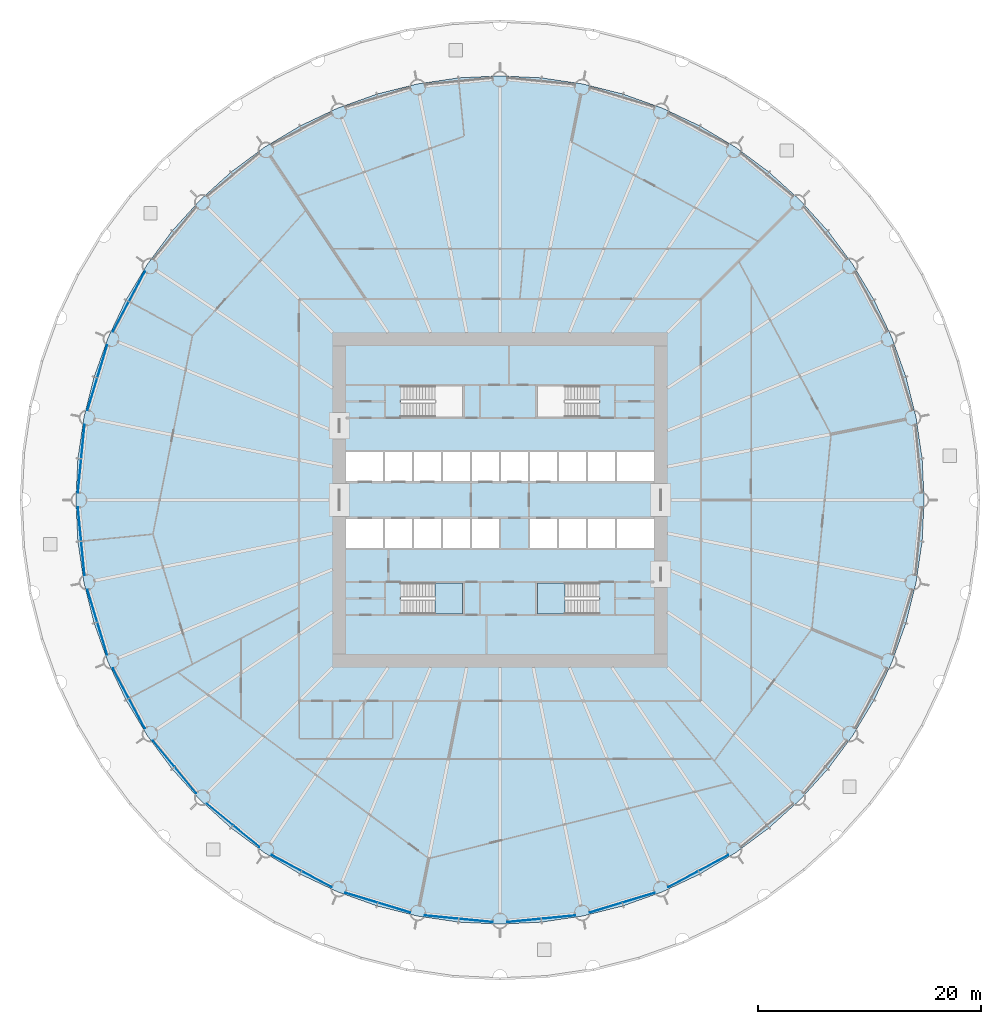
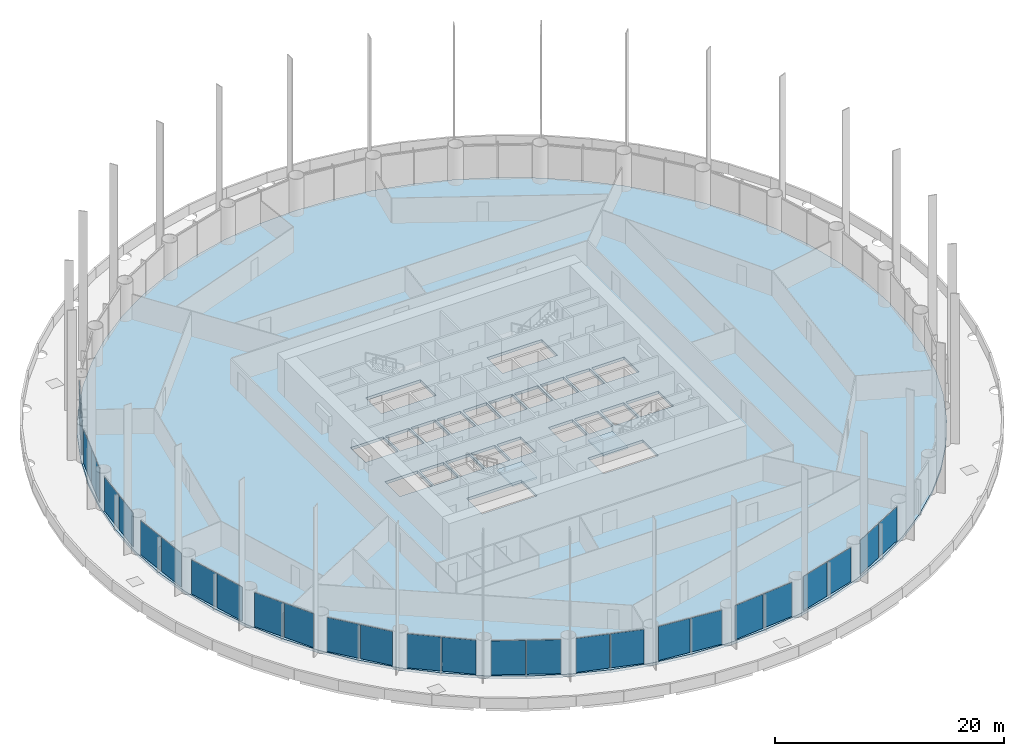
# One storey, part 6 of 17: 28 plates, 3 slabs, 16 elements without a shape of their own.
"""IFC4 building model written with IfcOpenShell, lengths in metres."""

from ifc_helpers import new_model, si_unit, direction, frame, origin, origin_2d, place, context, subcontext, project, spatial, polyline, rectangle, outline, extrude, material, layer, layer_set, type_object, element, aggregate, save


model = new_model("IFC4")

# Units and contexts
model_context = context("Model", 3, precision=1e-05, world=origin(), true_north=direction((0.0, 1.0)))
body_context = subcontext(model_context, "Body", "Model", "MODEL_VIEW")
ifc_project = project(units=[si_unit("LENGTHUNIT", "METRE"), si_unit("AREAUNIT", "SQUARE_METRE"), si_unit("VOLUMEUNIT", "CUBIC_METRE"), si_unit("PLANEANGLEUNIT", "RADIAN"), si_unit("MASSUNIT", "GRAM", prefix="KILO")], contexts=[model_context])

# Site, building, storey
site_placement = place(None, origin())
site = spatial("IfcSite", under=ifc_project, at=site_placement, CompositionType="ELEMENT")
building_placement = place(site_placement, origin())
building = spatial("IfcBuilding", under=site, at=building_placement, Name="Corvane Civic Tower", CompositionType="ELEMENT")
storey_placement = place(building_placement, frame((0.0, 0.0, 37.0)))
storey = spatial("IfcBuildingStorey", under=building, at=storey_placement, Name="L07", CompositionType="ELEMENT", Elevation=37.0)

# Slab
ifc_material_1 = material(Name="Concrete C40/50", Category="concrete")
ifc_layer_1 = layer(ifc_material_1, 0.300048828125)
ifc_layer_set_1 = layer_set([ifc_layer_1], Name="Concrete C40/50")
slab_type_1 = type_object("IfcSlabType", Name="FLOOR SLAB 300", PredefinedType="FLOOR", material=ifc_layer_set_1)
slab_1_placement = place(storey_placement, frame((0.0, 0.0, -0.300048828125)))
element("IfcSlab", 1, at=slab_1_placement, inside=storey, type_object=slab_type_1, Name="SLB-L07", PredefinedType="FLOOR", context=body_context, shape_type="SweptSolid", body=[
    extrude(outline(polyline([(0.0, 38.0), (-3.724609375, 37.817138671875), (-7.413330078125, 37.269775390625), (-11.03076171875, 36.36376953125), (-14.5419921875, 35.107421875), (-17.9130859375, 33.512939453125), (-21.111572265625, 31.595947265625), (-24.10693359375, 29.37451171875), (-26.8701171875, 26.8701171875), (-29.37451171875, 24.10693359375), (-31.595947265625, 21.111572265625), (-33.512939453125, 17.9130859375), (-35.107421875, 14.5419921875), (-36.36376953125, 11.03076171875), (-37.269775390625, 7.413330078125), (-37.817138671875, 3.724609375), (-38.0, 0.0), (-37.817138671875, -3.724609375), (-37.269775390625, -7.413330078125), (-36.36376953125, -11.03076171875), (-35.107421875, -14.5419921875), (-33.512939453125, -17.9130859375), (-31.595947265625, -21.111572265625), (-29.37451171875, -24.10693359375), (-26.8701171875, -26.8701171875), (-24.10693359375, -29.37451171875), (-21.111572265625, -31.595947265625), (-17.9130859375, -33.512939453125), (-14.5419921875, -35.107421875), (-11.03076171875, -36.36376953125), (-7.413330078125, -37.269775390625), (-3.724609375, -37.817138671875), (0.0, -38.0), (3.724609375, -37.817138671875), (7.413330078125, -37.269775390625), (11.03076171875, -36.36376953125), (14.5419921875, -35.107421875), (17.9130859375, -33.512939453125), (21.111572265625, -31.595947265625), (24.10693359375, -29.37451171875), (26.8701171875, -26.8701171875), (29.37451171875, -24.10693359375), (31.595947265625, -21.111572265625), (33.512939453125, -17.9130859375), (35.107421875, -14.5419921875), (36.36376953125, -11.03076171875), (37.269775390625, -7.413330078125), (37.817138671875, -3.724609375), (38.0, 0.0), (37.817138671875, 3.724609375), (37.269775390625, 7.413330078125), (36.36376953125, 11.03076171875), (35.107421875, 14.5419921875), (33.512939453125, 17.9130859375), (31.595947265625, 21.111572265625), (29.37451171875, 24.10693359375), (26.8701171875, 26.8701171875), (24.10693359375, 29.37451171875), (21.111572265625, 31.595947265625), (17.9130859375, 33.512939453125), (14.5419921875, 35.107421875), (11.03076171875, 36.36376953125), (7.413330078125, 37.269775390625), (3.724609375, 37.817138671875), (0.0, 38.0)]), holes=[polyline([(-13.800048828125, 4.300048828125), (-10.5, 4.300048828125), (-10.5, 1.699951171875), (-13.800048828125, 1.699951171875), (-13.800048828125, 4.300048828125)]), polyline([(-7.89990234375, 1.699951171875), (-10.300048828125, 1.699951171875), (-10.300048828125, 4.300048828125), (-7.89990234375, 4.300048828125), (-7.89990234375, 1.699951171875)]), polyline([(-7.699951171875, 4.300048828125), (-5.300048828125, 4.300048828125), (-5.300048828125, 1.699951171875), (-7.699951171875, 1.699951171875), (-7.699951171875, 4.300048828125)]), polyline([(-5.10009765625, 4.300048828125), (-2.699951171875, 4.300048828125), (-2.699951171875, 1.699951171875), (-5.10009765625, 1.699951171875), (-5.10009765625, 4.300048828125)]), polyline([(-2.5, 4.300048828125), (-0.10009765625, 4.300048828125), (-0.10009765625, 1.699951171875), (-2.5, 1.699951171875), (-2.5, 4.300048828125)]), polyline([(2.5, 4.300048828125), (2.5, 1.699951171875), (0.10009765625, 1.699951171875), (0.10009765625, 4.300048828125), (2.5, 4.300048828125)]), polyline([(2.699951171875, 4.300048828125), (5.10009765625, 4.300048828125), (5.10009765625, 1.699951171875), (2.699951171875, 1.699951171875), (2.699951171875, 4.300048828125)]), polyline([(5.300048828125, 4.300048828125), (7.699951171875, 4.300048828125), (7.699951171875, 1.699951171875), (5.300048828125, 1.699951171875), (5.300048828125, 4.300048828125)]), polyline([(7.89990234375, 4.300048828125), (10.300048828125, 4.300048828125), (10.300048828125, 1.699951171875), (7.89990234375, 1.699951171875), (7.89990234375, 4.300048828125)]), polyline([(13.800048828125, 1.699951171875), (10.5, 1.699951171875), (10.5, 4.300048828125), (13.800048828125, 4.300048828125), (13.800048828125, 1.699951171875)]), polyline([(-13.800048828125, -1.699951171875), (-10.5, -1.699951171875), (-10.5, -4.300048828125), (-13.800048828125, -4.300048828125), (-13.800048828125, -1.699951171875)]), polyline([(-10.300048828125, -1.699951171875), (-7.89990234375, -1.699951171875), (-7.89990234375, -4.300048828125), (-10.300048828125, -4.300048828125), (-10.300048828125, -1.699951171875)]), polyline([(-7.699951171875, -1.699951171875), (-5.300048828125, -1.699951171875), (-5.300048828125, -4.300048828125), (-7.699951171875, -4.300048828125), (-7.699951171875, -1.699951171875)]), polyline([(-5.10009765625, -1.699951171875), (-2.699951171875, -1.699951171875), (-2.699951171875, -4.300048828125), (-5.10009765625, -4.300048828125), (-5.10009765625, -1.699951171875)]), polyline([(-2.5, -1.699951171875), (-0.10009765625, -1.699951171875), (-0.10009765625, -4.300048828125), (-2.5, -4.300048828125), (-2.5, -1.699951171875)]), polyline([(2.699951171875, -1.699951171875), (5.10009765625, -1.699951171875), (5.10009765625, -4.300048828125), (2.699951171875, -4.300048828125), (2.699951171875, -1.699951171875)]), polyline([(5.300048828125, -1.699951171875), (7.699951171875, -1.699951171875), (7.699951171875, -4.300048828125), (5.300048828125, -4.300048828125), (5.300048828125, -1.699951171875)]), polyline([(7.89990234375, -4.300048828125), (7.89990234375, -1.699951171875), (10.300048828125, -1.699951171875), (10.300048828125, -4.300048828125), (7.89990234375, -4.300048828125)]), polyline([(13.800048828125, -4.300048828125), (10.5, -4.300048828125), (10.5, -1.699951171875), (13.800048828125, -1.699951171875), (13.800048828125, -4.300048828125)]), polyline([(8.889892578125, 10.199951171875), (8.889892578125, 7.449951171875), (3.35009765625, 7.449951171875), (3.35009765625, 10.199951171875), (8.889892578125, 10.199951171875)]), polyline([(-8.889892578125, 7.449951171875), (-8.889892578125, 10.199951171875), (-3.35009765625, 10.199951171875), (-3.35009765625, 7.449951171875), (-8.889892578125, 7.449951171875)]), polyline([(8.889892578125, -7.449951171875), (8.889892578125, -10.199951171875), (3.35009765625, -10.199951171875), (3.35009765625, -7.449951171875), (8.889892578125, -7.449951171875)]), polyline([(-8.889892578125, -10.199951171875), (-8.889892578125, -7.449951171875), (-3.35009765625, -7.449951171875), (-3.35009765625, -10.199951171875), (-8.889892578125, -10.199951171875)])]), origin(), (0.0, 0.0, 1.0), 0.300048828125),
])

# Stair, slab
ifc_material_2 = material(Name="Concrete C40/50", Category="concrete")
stair_type = type_object("IfcStairType", Name="ST-STAIR-HALFTURN", PredefinedType="HALF_TURN_STAIR", material=ifc_material_2)
stair_1_placement = place(storey_placement, origin())
stair_1 = element("IfcStair", 2, at=stair_1_placement, inside=storey, type_object=stair_type, Name="L07 Exit stair ST2", PredefinedType="HALF_TURN_STAIR")
ifc_material_3 = material(Name="Concrete C40/50", Category="concrete")
ifc_layer_2 = layer(ifc_material_3, 0.199951171875)
ifc_layer_set_2 = layer_set([ifc_layer_2], Name="Concrete C40/50")
slab_type_2 = type_object("IfcSlabType", Name="ST-LANDING-RC", PredefinedType="LANDING", material=ifc_layer_set_2)
slab_2_placement = place(storey_placement, frame((0.0, 0.0, 1.800048828125)))
slab_2 = element("IfcSlab", 3, at=slab_2_placement, type_object=slab_type_2, Name="ST2 landing 1", PredefinedType="LANDING", context=body_context, shape_type="SweptSolid", body=[
    extrude(outline(polyline([(5.820068359375, -7.449951171875), (3.35009765625, -7.449951171875), (3.35009765625, -10.199951171875), (5.820068359375, -10.199951171875), (5.820068359375, -7.449951171875)])), origin(), (0.0, 0.0, 1.0), 0.199951171875),
])
aggregate(stair_1, [slab_2])

stair_2_placement = place(storey_placement, origin())
stair_2 = element("IfcStair", 4, at=stair_2_placement, inside=storey, type_object=stair_type, Name="L07 Exit stair ST3", PredefinedType="HALF_TURN_STAIR")
slab_3_placement = place(storey_placement, frame((0.0, 0.0, 1.800048828125)))
slab_3 = element("IfcSlab", 5, at=slab_3_placement, type_object=slab_type_2, Name="ST3 landing 1", PredefinedType="LANDING", context=body_context, shape_type="SweptSolid", body=[
    extrude(outline(polyline([(-5.820068359375, -10.199951171875), (-3.35009765625, -10.199951171875), (-3.35009765625, -7.449951171875), (-5.820068359375, -7.449951171875), (-5.820068359375, -10.199951171875)])), origin(), (0.0, 0.0, 1.0), 0.199951171875),
])
aggregate(stair_2, [slab_3])

# Curtain wall, plates
ifc_material_4 = material(Name="Anodised aluminium bronze", Category="aluminium")
curtain_wall_type = type_object("IfcCurtainWallType", Name="TOWER CW-T1 STICK CURTAIN WALL", PredefinedType="NOTDEFINED", material=ifc_material_4)
curtain_wall_1_placement = place(storey_placement, origin())
curtain_wall_1 = element("IfcCurtainWall", 6, at=curtain_wall_1_placement, inside=storey, type_object=curtain_wall_type, Name="Curtain wall CW-T1 L07 bay 14", PredefinedType="NOTDEFINED")
ifc_material_5 = material(Name="Tinted glass", Category="glass")
ifc_layer_3 = layer(ifc_material_5, 0.035888671875)
ifc_layer_set_3 = layer_set([ifc_layer_3], Name="Tinted glass")
plate_type = type_object("IfcPlateType", Name="TOWER CW-T1 PANEL IGU36", PredefinedType="CURTAIN_PANEL", material=ifc_layer_set_3)
plate_1_placement = place(storey_placement, frame((19.132568359375, -32.518310546875, 0.0), z_axis=(0.0, 0.0, 1.0), x_axis=(-0.881917528864, -0.471403725359, 0.0)))
plate_1 = element("IfcPlate", 7, at=plate_1_placement, type_object=plate_type, Name="Glass panel CW-T1 L07 14.1", PredefinedType="CURTAIN_PANEL", context=body_context, shape_type="SweptSolid", body=[
    extrude(rectangle(XDim=3.008544921875, YDim=0.035888671875, at=origin_2d()), origin(), (0.0, 0.0, 1.0), 3.6298828125),
])
plate_2_placement = place(storey_placement, frame((16.40869140625, -33.974365234375, 0.0), z_axis=(0.0, 0.0, 1.0), x_axis=(-0.881917528864, -0.471403725359, 0.0)))
plate_2 = element("IfcPlate", 8, at=plate_2_placement, type_object=plate_type, Name="Glass panel CW-T1 L07 14.2", PredefinedType="CURTAIN_PANEL", context=body_context, shape_type="SweptSolid", body=[
    extrude(rectangle(XDim=3.008544921875, YDim=0.035888671875, at=origin_2d()), origin(), (0.0, 0.0, 1.0), 3.6298828125),
])
aggregate(curtain_wall_1, [plate_1, plate_2])

curtain_wall_2_placement = place(storey_placement, origin())
curtain_wall_2 = element("IfcCurtainWall", 9, at=curtain_wall_2_placement, inside=storey, type_object=curtain_wall_type, Name="Curtain wall CW-T1 L07 bay 15", PredefinedType="NOTDEFINED")
plate_3_placement = place(storey_placement, frame((12.4208984375, -35.6259765625, 0.0), z_axis=(0.0, 0.0, 1.0), x_axis=(-0.956942240606, -0.290278397654, 0.0)))
plate_3 = element("IfcPlate", 10, at=plate_3_placement, type_object=plate_type, Name="Glass panel CW-T1 L07 15.1", PredefinedType="CURTAIN_PANEL", context=body_context, shape_type="SweptSolid", body=[
    extrude(rectangle(XDim=3.008544921875, YDim=0.035888671875, at=origin_2d()), origin(), (0.0, 0.0, 1.0), 3.6298828125),
])
plate_4_placement = place(storey_placement, frame((9.46533203125, -36.522705078125, 0.0), z_axis=(0.0, 0.0, 1.0), x_axis=(-0.956942240606, -0.290278397654, 0.0)))
plate_4 = element("IfcPlate", 11, at=plate_4_placement, type_object=plate_type, Name="Glass panel CW-T1 L07 15.2", PredefinedType="CURTAIN_PANEL", context=body_context, shape_type="SweptSolid", body=[
    extrude(rectangle(XDim=3.008544921875, YDim=0.035888671875, at=origin_2d()), origin(), (0.0, 0.0, 1.0), 3.6298828125),
])
aggregate(curtain_wall_2, [plate_3, plate_4])

curtain_wall_3_placement = place(storey_placement, origin())
curtain_wall_3 = element("IfcCurtainWall", 12, at=curtain_wall_3_placement, inside=storey, type_object=curtain_wall_type, Name="Curtain wall CW-T1 L07 bay 16", PredefinedType="NOTDEFINED")
plate_5_placement = place(storey_placement, frame((5.23193359375, -37.36474609375, 0.0), z_axis=(0.0, 0.0, 1.0), x_axis=(-0.995185800248, -0.098006239521, 0.0)))
plate_5 = element("IfcPlate", 13, at=plate_5_placement, type_object=plate_type, Name="Glass panel CW-T1 L07 16.1", PredefinedType="CURTAIN_PANEL", context=body_context, shape_type="SweptSolid", body=[
    extrude(rectangle(XDim=3.008544921875, YDim=0.035888671875, at=origin_2d()), origin(), (0.0, 0.0, 1.0), 3.6298828125),
])
plate_6_placement = place(storey_placement, frame((2.158203125, -37.667236328125, 0.0), z_axis=(0.0, 0.0, 1.0), x_axis=(-0.995185800248, -0.098006239521, 0.0)))
plate_6 = element("IfcPlate", 14, at=plate_6_placement, type_object=plate_type, Name="Glass panel CW-T1 L07 16.2", PredefinedType="CURTAIN_PANEL", context=body_context, shape_type="SweptSolid", body=[
    extrude(rectangle(XDim=3.008544921875, YDim=0.035888671875, at=origin_2d()), origin(), (0.0, 0.0, 1.0), 3.6298828125),
])
aggregate(curtain_wall_3, [plate_5, plate_6])

curtain_wall_4_placement = place(storey_placement, origin())
curtain_wall_4 = element("IfcCurtainWall", 15, at=curtain_wall_4_placement, inside=storey, type_object=curtain_wall_type, Name="Curtain wall CW-T1 L07 bay 17", PredefinedType="NOTDEFINED")
plate_7_placement = place(storey_placement, frame((-2.158203125, -37.667236328125, 0.0), z_axis=(0.0, 0.0, 1.0), x_axis=(-0.995185800248, 0.098006239521, 0.0)))
plate_7 = element("IfcPlate", 16, at=plate_7_placement, type_object=plate_type, Name="Glass panel CW-T1 L07 17.1", PredefinedType="CURTAIN_PANEL", context=body_context, shape_type="SweptSolid", body=[
    extrude(rectangle(XDim=3.008544921875, YDim=0.035888671875, at=origin_2d()), origin(), (0.0, 0.0, 1.0), 3.6298828125),
])
plate_8_placement = place(storey_placement, frame((-5.23193359375, -37.36474609375, 0.0), z_axis=(0.0, 0.0, 1.0), x_axis=(-0.995185800248, 0.098006239521, 0.0)))
plate_8 = element("IfcPlate", 17, at=plate_8_placement, type_object=plate_type, Name="Glass panel CW-T1 L07 17.2", PredefinedType="CURTAIN_PANEL", context=body_context, shape_type="SweptSolid", body=[
    extrude(rectangle(XDim=3.008544921875, YDim=0.035888671875, at=origin_2d()), origin(), (0.0, 0.0, 1.0), 3.6298828125),
])
aggregate(curtain_wall_4, [plate_7, plate_8])

curtain_wall_5_placement = place(storey_placement, origin())
curtain_wall_5 = element("IfcCurtainWall", 18, at=curtain_wall_5_placement, inside=storey, type_object=curtain_wall_type, Name="Curtain wall CW-T1 L07 bay 18", PredefinedType="NOTDEFINED")
plate_9_placement = place(storey_placement, frame((-9.46533203125, -36.522705078125, 0.0), z_axis=(0.0, 0.0, 1.0), x_axis=(-0.956942240606, 0.290278397654, 0.0)))
plate_9 = element("IfcPlate", 19, at=plate_9_placement, type_object=plate_type, Name="Glass panel CW-T1 L07 18.1", PredefinedType="CURTAIN_PANEL", context=body_context, shape_type="SweptSolid", body=[
    extrude(rectangle(XDim=3.008544921875, YDim=0.035888671875, at=origin_2d()), origin(), (0.0, 0.0, 1.0), 3.6298828125),
])
plate_10_placement = place(storey_placement, frame((-12.4208984375, -35.6259765625, 0.0), z_axis=(0.0, 0.0, 1.0), x_axis=(-0.956942240606, 0.290278397654, 0.0)))
plate_10 = element("IfcPlate", 20, at=plate_10_placement, type_object=plate_type, Name="Glass panel CW-T1 L07 18.2", PredefinedType="CURTAIN_PANEL", context=body_context, shape_type="SweptSolid", body=[
    extrude(rectangle(XDim=3.008544921875, YDim=0.035888671875, at=origin_2d()), origin(), (0.0, 0.0, 1.0), 3.6298828125),
])
aggregate(curtain_wall_5, [plate_9, plate_10])

curtain_wall_6_placement = place(storey_placement, origin())
curtain_wall_6 = element("IfcCurtainWall", 21, at=curtain_wall_6_placement, inside=storey, type_object=curtain_wall_type, Name="Curtain wall CW-T1 L07 bay 19", PredefinedType="NOTDEFINED")
plate_11_placement = place(storey_placement, frame((-16.40869140625, -33.974365234375, 0.0), z_axis=(0.0, 0.0, 1.0), x_axis=(-0.881917528864, 0.471403725359, 0.0)))
plate_11 = element("IfcPlate", 22, at=plate_11_placement, type_object=plate_type, Name="Glass panel CW-T1 L07 19.1", PredefinedType="CURTAIN_PANEL", context=body_context, shape_type="SweptSolid", body=[
    extrude(rectangle(XDim=3.008544921875, YDim=0.035888671875, at=origin_2d()), origin(), (0.0, 0.0, 1.0), 3.6298828125),
])
plate_12_placement = place(storey_placement, frame((-19.132568359375, -32.518310546875, 0.0), z_axis=(0.0, 0.0, 1.0), x_axis=(-0.881917528864, 0.471403725359, 0.0)))
plate_12 = element("IfcPlate", 23, at=plate_12_placement, type_object=plate_type, Name="Glass panel CW-T1 L07 19.2", PredefinedType="CURTAIN_PANEL", context=body_context, shape_type="SweptSolid", body=[
    extrude(rectangle(XDim=3.008544921875, YDim=0.035888671875, at=origin_2d()), origin(), (0.0, 0.0, 1.0), 3.6298828125),
])
aggregate(curtain_wall_6, [plate_11, plate_12])

curtain_wall_7_placement = place(storey_placement, origin())
curtain_wall_7 = element("IfcCurtainWall", 24, at=curtain_wall_7_placement, inside=storey, type_object=curtain_wall_type, Name="Curtain wall CW-T1 L07 bay 20", PredefinedType="NOTDEFINED")
plate_13_placement = place(storey_placement, frame((-22.721435546875, -30.120361328125, 0.0), z_axis=(0.0, 0.0, 1.0), x_axis=(-0.773007224463, 0.634397218569, 0.0)))
plate_13 = element("IfcPlate", 25, at=plate_13_placement, type_object=plate_type, Name="Glass panel CW-T1 L07 20.1", PredefinedType="CURTAIN_PANEL", context=body_context, shape_type="SweptSolid", body=[
    extrude(rectangle(XDim=3.008544921875, YDim=0.035888671875, at=origin_2d()), origin(), (0.0, 0.0, 1.0), 3.6298828125),
])
plate_14_placement = place(storey_placement, frame((-25.10888671875, -28.160888671875, 0.0), z_axis=(0.0, 0.0, 1.0), x_axis=(-0.773007224463, 0.634397218569, 0.0)))
plate_14 = element("IfcPlate", 26, at=plate_14_placement, type_object=plate_type, Name="Glass panel CW-T1 L07 20.2", PredefinedType="CURTAIN_PANEL", context=body_context, shape_type="SweptSolid", body=[
    extrude(rectangle(XDim=3.008544921875, YDim=0.035888671875, at=origin_2d()), origin(), (0.0, 0.0, 1.0), 3.6298828125),
])
aggregate(curtain_wall_7, [plate_13, plate_14])

curtain_wall_8_placement = place(storey_placement, origin())
curtain_wall_8 = element("IfcCurtainWall", 27, at=curtain_wall_8_placement, inside=storey, type_object=curtain_wall_type, Name="Curtain wall CW-T1 L07 bay 21", PredefinedType="NOTDEFINED")
plate_15_placement = place(storey_placement, frame((-28.160888671875, -25.10888671875, 0.0), z_axis=(0.0, 0.0, 1.0), x_axis=(-0.634397218569, 0.773007224463, 0.0)))
plate_15 = element("IfcPlate", 28, at=plate_15_placement, type_object=plate_type, Name="Glass panel CW-T1 L07 21.1", PredefinedType="CURTAIN_PANEL", context=body_context, shape_type="SweptSolid", body=[
    extrude(rectangle(XDim=3.008544921875, YDim=0.035888671875, at=origin_2d()), origin(), (0.0, 0.0, 1.0), 3.6298828125),
])
plate_16_placement = place(storey_placement, frame((-30.120361328125, -22.721435546875, 0.0), z_axis=(0.0, 0.0, 1.0), x_axis=(-0.634397218569, 0.773007224463, 0.0)))
plate_16 = element("IfcPlate", 29, at=plate_16_placement, type_object=plate_type, Name="Glass panel CW-T1 L07 21.2", PredefinedType="CURTAIN_PANEL", context=body_context, shape_type="SweptSolid", body=[
    extrude(rectangle(XDim=3.008544921875, YDim=0.035888671875, at=origin_2d()), origin(), (0.0, 0.0, 1.0), 3.6298828125),
])
aggregate(curtain_wall_8, [plate_15, plate_16])

curtain_wall_9_placement = place(storey_placement, origin())
curtain_wall_9 = element("IfcCurtainWall", 30, at=curtain_wall_9_placement, inside=storey, type_object=curtain_wall_type, Name="Curtain wall CW-T1 L07 bay 22", PredefinedType="NOTDEFINED")
plate_17_placement = place(storey_placement, frame((-32.518310546875, -19.132568359375, 0.0), z_axis=(0.0, 0.0, 1.0), x_axis=(-0.471403725359, 0.881917528864, 0.0)))
plate_17 = element("IfcPlate", 31, at=plate_17_placement, type_object=plate_type, Name="Glass panel CW-T1 L07 22.1", PredefinedType="CURTAIN_PANEL", context=body_context, shape_type="SweptSolid", body=[
    extrude(rectangle(XDim=3.008544921875, YDim=0.035888671875, at=origin_2d()), origin(), (0.0, 0.0, 1.0), 3.6298828125),
])
plate_18_placement = place(storey_placement, frame((-33.974365234375, -16.40869140625, 0.0), z_axis=(0.0, 0.0, 1.0), x_axis=(-0.471403725359, 0.881917528864, 0.0)))
plate_18 = element("IfcPlate", 32, at=plate_18_placement, type_object=plate_type, Name="Glass panel CW-T1 L07 22.2", PredefinedType="CURTAIN_PANEL", context=body_context, shape_type="SweptSolid", body=[
    extrude(rectangle(XDim=3.008544921875, YDim=0.035888671875, at=origin_2d()), origin(), (0.0, 0.0, 1.0), 3.6298828125),
])
aggregate(curtain_wall_9, [plate_17, plate_18])

curtain_wall_10_placement = place(storey_placement, origin())
curtain_wall_10 = element("IfcCurtainWall", 33, at=curtain_wall_10_placement, inside=storey, type_object=curtain_wall_type, Name="Curtain wall CW-T1 L07 bay 23", PredefinedType="NOTDEFINED")
plate_19_placement = place(storey_placement, frame((-35.6259765625, -12.4208984375, 0.0), z_axis=(0.0, 0.0, 1.0), x_axis=(-0.290278397654, 0.956942240606, 0.0)))
plate_19 = element("IfcPlate", 34, at=plate_19_placement, type_object=plate_type, Name="Glass panel CW-T1 L07 23.1", PredefinedType="CURTAIN_PANEL", context=body_context, shape_type="SweptSolid", body=[
    extrude(rectangle(XDim=3.008544921875, YDim=0.035888671875, at=origin_2d()), origin(), (0.0, 0.0, 1.0), 3.6298828125),
])
plate_20_placement = place(storey_placement, frame((-36.522705078125, -9.46533203125, 0.0), z_axis=(0.0, 0.0, 1.0), x_axis=(-0.290278397654, 0.956942240606, 0.0)))
plate_20 = element("IfcPlate", 35, at=plate_20_placement, type_object=plate_type, Name="Glass panel CW-T1 L07 23.2", PredefinedType="CURTAIN_PANEL", context=body_context, shape_type="SweptSolid", body=[
    extrude(rectangle(XDim=3.008544921875, YDim=0.035888671875, at=origin_2d()), origin(), (0.0, 0.0, 1.0), 3.6298828125),
])
aggregate(curtain_wall_10, [plate_19, plate_20])

curtain_wall_11_placement = place(storey_placement, origin())
curtain_wall_11 = element("IfcCurtainWall", 36, at=curtain_wall_11_placement, inside=storey, type_object=curtain_wall_type, Name="Curtain wall CW-T1 L07 bay 24", PredefinedType="NOTDEFINED")
plate_21_placement = place(storey_placement, frame((-37.36474609375, -5.23193359375, 0.0), z_axis=(0.0, 0.0, 1.0), x_axis=(-0.098006239521, 0.995185800248, 0.0)))
plate_21 = element("IfcPlate", 37, at=plate_21_placement, type_object=plate_type, Name="Glass panel CW-T1 L07 24.1", PredefinedType="CURTAIN_PANEL", context=body_context, shape_type="SweptSolid", body=[
    extrude(rectangle(XDim=3.008544921875, YDim=0.035888671875, at=origin_2d()), origin(), (0.0, 0.0, 1.0), 3.6298828125),
])
plate_22_placement = place(storey_placement, frame((-37.667236328125, -2.158203125, 0.0), z_axis=(0.0, 0.0, 1.0), x_axis=(-0.098006239521, 0.995185800248, 0.0)))
plate_22 = element("IfcPlate", 38, at=plate_22_placement, type_object=plate_type, Name="Glass panel CW-T1 L07 24.2", PredefinedType="CURTAIN_PANEL", context=body_context, shape_type="SweptSolid", body=[
    extrude(rectangle(XDim=3.008544921875, YDim=0.035888671875, at=origin_2d()), origin(), (0.0, 0.0, 1.0), 3.6298828125),
])
aggregate(curtain_wall_11, [plate_21, plate_22])

curtain_wall_12_placement = place(storey_placement, origin())
curtain_wall_12 = element("IfcCurtainWall", 39, at=curtain_wall_12_placement, inside=storey, type_object=curtain_wall_type, Name="Curtain wall CW-T1 L07 bay 25", PredefinedType="NOTDEFINED")
plate_23_placement = place(storey_placement, frame((-37.667236328125, 2.158203125, 0.0), z_axis=(0.0, 0.0, 1.0), x_axis=(0.098006239521, 0.995185800248, 0.0)))
plate_23 = element("IfcPlate", 40, at=plate_23_placement, type_object=plate_type, Name="Glass panel CW-T1 L07 25.1", PredefinedType="CURTAIN_PANEL", context=body_context, shape_type="SweptSolid", body=[
    extrude(rectangle(XDim=3.008544921875, YDim=0.035888671875, at=origin_2d()), origin(), (0.0, 0.0, 1.0), 3.6298828125),
])
plate_24_placement = place(storey_placement, frame((-37.36474609375, 5.23193359375, 0.0), z_axis=(0.0, 0.0, 1.0), x_axis=(0.098006239521, 0.995185800248, 0.0)))
plate_24 = element("IfcPlate", 41, at=plate_24_placement, type_object=plate_type, Name="Glass panel CW-T1 L07 25.2", PredefinedType="CURTAIN_PANEL", context=body_context, shape_type="SweptSolid", body=[
    extrude(rectangle(XDim=3.008544921875, YDim=0.035888671875, at=origin_2d()), origin(), (0.0, 0.0, 1.0), 3.6298828125),
])
aggregate(curtain_wall_12, [plate_23, plate_24])

curtain_wall_13_placement = place(storey_placement, origin())
curtain_wall_13 = element("IfcCurtainWall", 42, at=curtain_wall_13_placement, inside=storey, type_object=curtain_wall_type, Name="Curtain wall CW-T1 L07 bay 26", PredefinedType="NOTDEFINED")
plate_25_placement = place(storey_placement, frame((-36.522705078125, 9.46533203125, 0.0), z_axis=(0.0, 0.0, 1.0), x_axis=(0.290278397654, 0.956942240606, 0.0)))
plate_25 = element("IfcPlate", 43, at=plate_25_placement, type_object=plate_type, Name="Glass panel CW-T1 L07 26.1", PredefinedType="CURTAIN_PANEL", context=body_context, shape_type="SweptSolid", body=[
    extrude(rectangle(XDim=3.008544921875, YDim=0.035888671875, at=origin_2d()), origin(), (0.0, 0.0, 1.0), 3.6298828125),
])
plate_26_placement = place(storey_placement, frame((-35.6259765625, 12.4208984375, 0.0), z_axis=(0.0, 0.0, 1.0), x_axis=(0.290278397654, 0.956942240606, 0.0)))
plate_26 = element("IfcPlate", 44, at=plate_26_placement, type_object=plate_type, Name="Glass panel CW-T1 L07 26.2", PredefinedType="CURTAIN_PANEL", context=body_context, shape_type="SweptSolid", body=[
    extrude(rectangle(XDim=3.008544921875, YDim=0.035888671875, at=origin_2d()), origin(), (0.0, 0.0, 1.0), 3.6298828125),
])
aggregate(curtain_wall_13, [plate_25, plate_26])

curtain_wall_14_placement = place(storey_placement, origin())
curtain_wall_14 = element("IfcCurtainWall", 45, at=curtain_wall_14_placement, inside=storey, type_object=curtain_wall_type, Name="Curtain wall CW-T1 L07 bay 27", PredefinedType="NOTDEFINED")
plate_27_placement = place(storey_placement, frame((-33.974365234375, 16.40869140625, 0.0), z_axis=(0.0, 0.0, 1.0), x_axis=(0.471403725359, 0.881917528864, 0.0)))
plate_27 = element("IfcPlate", 46, at=plate_27_placement, type_object=plate_type, Name="Glass panel CW-T1 L07 27.1", PredefinedType="CURTAIN_PANEL", context=body_context, shape_type="SweptSolid", body=[
    extrude(rectangle(XDim=3.008544921875, YDim=0.035888671875, at=origin_2d()), origin(), (0.0, 0.0, 1.0), 3.6298828125),
])
plate_28_placement = place(storey_placement, frame((-32.518310546875, 19.132568359375, 0.0), z_axis=(0.0, 0.0, 1.0), x_axis=(0.471403725359, 0.881917528864, 0.0)))
plate_28 = element("IfcPlate", 47, at=plate_28_placement, type_object=plate_type, Name="Glass panel CW-T1 L07 27.2", PredefinedType="CURTAIN_PANEL", context=body_context, shape_type="SweptSolid", body=[
    extrude(rectangle(XDim=3.008544921875, YDim=0.035888671875, at=origin_2d()), origin(), (0.0, 0.0, 1.0), 3.6298828125),
])
aggregate(curtain_wall_14, [plate_27, plate_28])

save(model, "model.ifc")
